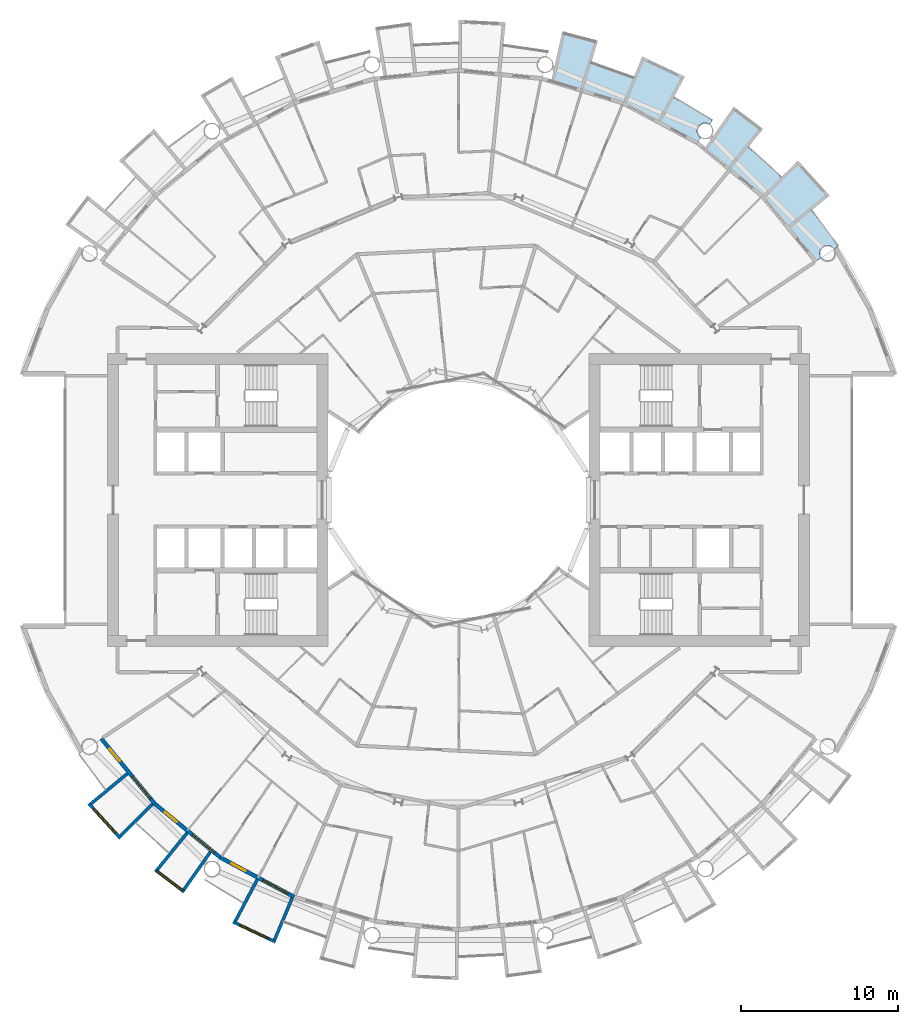
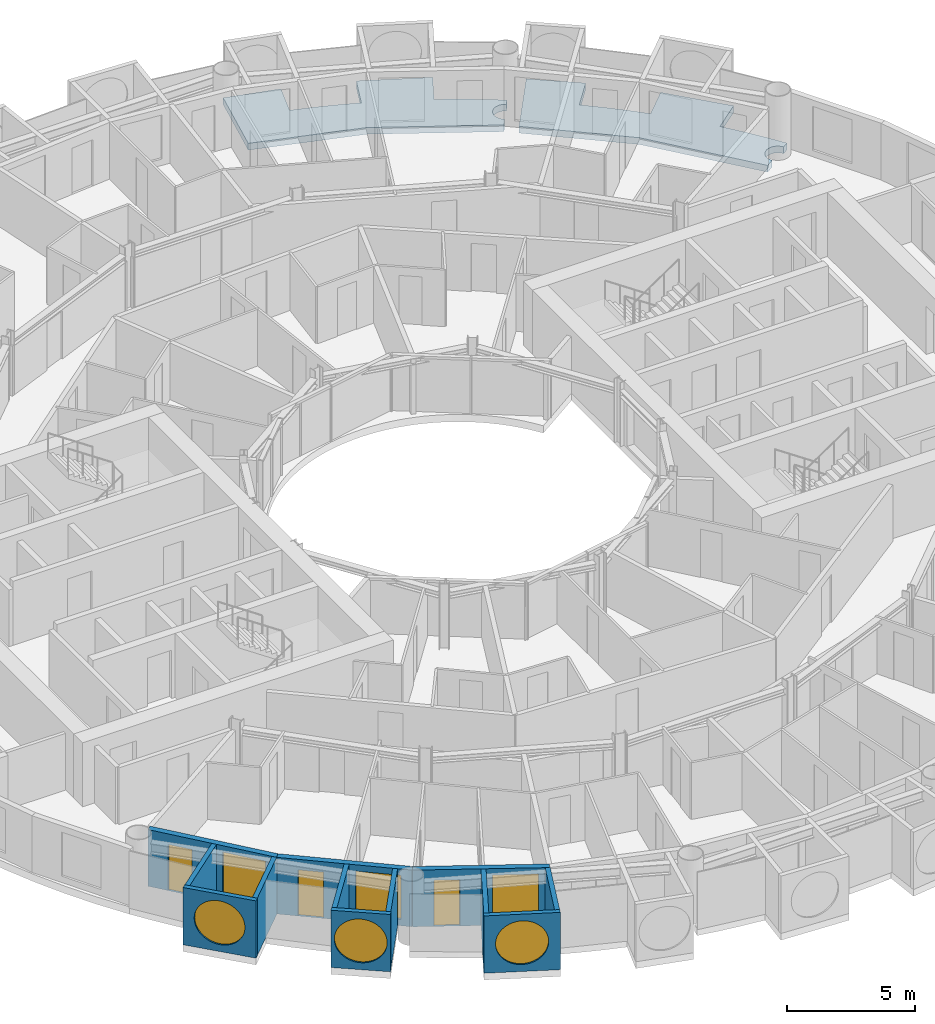
# One storey, part 12 of 26: 12 walls, 6 windows, 3 doors, 2 slabs, 9 openings.
"""IFC4 building model written with IfcOpenShell, lengths in metres."""

import ifcopenshell
import ifcopenshell.guid

model = None  # the IFC model being written
_history = None  # IfcOwnerHistory: only IFC2X3 demands one
_inside = {}  # id of a spatial element -> (the spatial element, [elements in it])
_under = {}  # id of a project, library or spatial element -> (it, [spatial elements below it])
_declared = {}  # id of a project -> (the project, [libraries it declares])
_typed = {}  # id of a type object -> (the type object, [elements of that type])
_made_of = {}  # id of a material, layer set ... -> (it, [elements and type objects made of it])


def new_model(schema):
    """Start an empty IFC model of exactly this schema.

    Asked for "IFC4X3", IfcOpenShell would pick the latest addendum, in which some entities
    have other attributes; the version numbers below select the first issue.
    IFC2X3 requires an IfcOwnerHistory on every rooted entity: one is made here for all.
    """
    global model, _history
    if schema == "IFC4X3":
        model = ifcopenshell.file(schema_version=(4, 3, 0, 0))
    else:
        model = ifcopenshell.file(schema=schema)
    _inside.clear()
    _under.clear()
    _declared.clear()
    _typed.clear()
    _made_of.clear()
    _history = None
    if model.schema == "IFC2X3":
        org = make("IfcOrganization", Name="unknown")
        user = make(
            "IfcPersonAndOrganization",
            ThePerson=make("IfcPerson", FamilyName="unknown"),
            TheOrganization=org,
        )
        app = make(
            "IfcApplication",
            ApplicationDeveloper=org,
            Version="unknown",
            ApplicationFullName="unknown",
            ApplicationIdentifier="unknown",
        )
        _history = make(
            "IfcOwnerHistory",
            OwningUser=user,
            OwningApplication=app,
            ChangeAction="ADDED",
            CreationDate=0,
        )
    return model


def make(cls, **values):
    """One entity of the class cls with the attributes given. An attribute that is None is left unset."""
    return model.create_entity(
        cls, **{name: value for name, value in values.items() if value is not None}
    )


def rooted(cls, **values):
    """An entity with a GlobalId (a new one), such as an element, a storey or a relation."""
    return make(cls, GlobalId=ifcopenshell.guid.new(), OwnerHistory=_history, **values)


def si_unit(unit_type, name, prefix=None):
    """IfcSIUnit, for example si_unit("LENGTHUNIT", "METRE", prefix="MILLI")."""
    return make("IfcSIUnit", UnitType=unit_type, Prefix=prefix, Name=name)


def assignment(units):
    """IfcUnitAssignment: the units of a project."""
    return None if units is None else make("IfcUnitAssignment", Units=units)


def point(xyz):
    """IfcCartesianPoint."""
    return None if xyz is None else make("IfcCartesianPoint", Coordinates=xyz)


def direction(xyz):
    """IfcDirection."""
    return None if xyz is None else make("IfcDirection", DirectionRatios=xyz)


def frame(location, z_axis=None, x_axis=None):
    """IfcAxis2Placement3D, a coordinate frame: its origin and axes. An axis left out is left unset."""
    return make(
        "IfcAxis2Placement3D",
        Location=point(location),
        Axis=direction(z_axis),
        RefDirection=direction(x_axis),
    )


def frame_2d(location, x_axis=None):
    """IfcAxis2Placement2D, a coordinate frame in the plane: its origin and x axis."""
    return make(
        "IfcAxis2Placement2D", Location=point(location), RefDirection=direction(x_axis)
    )


def origin():
    """The frame at (0, 0, 0) with its axes left unset."""
    return frame((0.0, 0.0, 0.0))


def place(relative_to, where):
    """IfcLocalPlacement: puts the frame where relative to a parent placement (None: the world)."""
    return make(
        "IfcLocalPlacement", PlacementRelTo=relative_to, RelativePlacement=where
    )


def context(
    kind, dimensions, precision=None, world=None, true_north=None, identifier=None
):
    """IfcGeometricRepresentationContext, for example the 3D "Model" context."""
    return make(
        "IfcGeometricRepresentationContext",
        ContextIdentifier=identifier,
        ContextType=kind,
        CoordinateSpaceDimension=dimensions,
        Precision=precision,
        WorldCoordinateSystem=world,
        TrueNorth=true_north,
    )


def subcontext(parent, identifier, kind, view, scale=None):
    """IfcGeometricRepresentationSubContext, for example "Body" below "Model"."""
    return make(
        "IfcGeometricRepresentationSubContext",
        ContextIdentifier=identifier,
        ContextType=kind,
        ParentContext=parent,
        TargetScale=scale,
        TargetView=view,
    )


def project(units=None, contexts=None):
    """IfcProject with its units and contexts."""
    return rooted(
        "IfcProject",
        Name="project",
        RepresentationContexts=contexts,
        UnitsInContext=assignment(units),
    )


def spatial(cls, under=None, at=None, **own):
    """A site, building, storey or space (cls), placed at a placement, below another one or the project."""
    s = rooted(cls, ObjectPlacement=at, **own)
    if under is not None:
        _under.setdefault(under.id(), (under, []))[1].append(s)
    return s


def polyline(points):
    """IfcPolyline through the points."""
    return make("IfcPolyline", Points=[point(p) for p in points])


def profile(cls, at=None, kind="AREA", **sizes):
    """A parametric profile (cls). Its sizes go by their IFC names, for example OverallWidth=200.0."""
    return make(cls, ProfileType=kind, Position=at, **sizes)


def rectangle(**sizes):
    """IfcRectangleProfileDef."""
    return profile("IfcRectangleProfileDef", **sizes)


def circle(**sizes):
    """IfcCircleProfileDef."""
    return profile("IfcCircleProfileDef", **sizes)


def outline(outer, holes=None, kind="AREA"):
    """IfcArbitraryClosedProfileDef: a profile drawn as a closed curve; with holes, ...WithVoids."""
    if holes is None:
        return make("IfcArbitraryClosedProfileDef", ProfileType=kind, OuterCurve=outer)
    return make(
        "IfcArbitraryProfileDefWithVoids",
        ProfileType=kind,
        OuterCurve=outer,
        InnerCurves=holes,
    )


def extrude(swept, where, along, depth):
    """IfcExtrudedAreaSolid: the profile swept, set in the frame where, extruded along a direction by depth."""
    return make(
        "IfcExtrudedAreaSolid",
        SweptArea=swept,
        Position=where,
        ExtrudedDirection=direction(along),
        Depth=depth,
    )


def shape(context_of_items, identifier, shape_type, items):
    """IfcShapeRepresentation: the items that make up one representation, for example the "Body"."""
    return make(
        "IfcShapeRepresentation",
        ContextOfItems=context_of_items,
        RepresentationIdentifier=identifier,
        RepresentationType=shape_type,
        Items=items,
    )


def material(Name=None, Category=None):
    """IfcMaterial."""
    return make("IfcMaterial", Name=Name, Category=Category)


def layer(
    of_material, thickness, ventilated=None, Name=None, Category=None, Priority=None
):
    """IfcMaterialLayer: one layer of a wall or slab, of a material (None: an air gap)."""
    return make(
        "IfcMaterialLayer",
        Material=of_material,
        LayerThickness=thickness,
        IsVentilated=ventilated,
        Name=Name,
        Category=Category,
        Priority=Priority,
    )


def layer_set(layers, Name=None):
    """IfcMaterialLayerSet."""
    return make("IfcMaterialLayerSet", MaterialLayers=layers, LayerSetName=Name)


def made_of(thing, what):
    """Note that an element or type object is made of a material, layer set ...; save() writes the relation."""
    if what is not None:
        _made_of.setdefault(what.id(), (what, []))[1].append(thing)
    return thing


def type_object(cls, material=None, **own):
    """A type object (cls), such as IfcWallType, which elements share."""
    return made_of(rooted(cls, **own), material)


def element(
    cls,
    number,
    at=None,
    inside=None,
    cuts=None,
    type_object=None,
    material=None,
    context=None,
    identifier="Body",
    shape_type=None,
    held_by="IfcProductDefinitionShape",
    body=None,
    shapes=None,
    **own,
):
    """One element of the class cls, such as IfcWall. Its Tag is "e" and its number.

    at: its placement. inside: the storey or other place that contains it. cuts: it is an
    opening in that element (IfcRelVoidsElement). A single representation is given by context,
    identifier, shape_type and body (its items); several are given by shapes. held_by: the class
    of the entity that holds the representations. save() writes the other relations.
    """
    e = rooted(cls, Tag="e%d" % number, ObjectPlacement=at, **own)
    if body is not None:
        shapes = [shape(context, identifier, shape_type, body)]
    if shapes is not None:
        e.Representation = make(held_by, Representations=shapes)
    if inside is not None:
        _inside.setdefault(inside.id(), (inside, []))[1].append(e)
    if cuts is not None:
        rooted(
            "IfcRelVoidsElement", RelatingBuildingElement=cuts, RelatedOpeningElement=e
        )
    if type_object is not None:
        _typed.setdefault(type_object.id(), (type_object, []))[1].append(e)
    return made_of(e, material)


def fill(opening, filler):
    """IfcRelFillsElement: the door or window that sits in an opening."""
    return rooted(
        "IfcRelFillsElement",
        RelatingOpeningElement=opening,
        RelatedBuildingElement=filler,
    )


def aggregate(whole, parts):
    """IfcRelAggregates: a whole, such as a stair, and the parts it consists of."""
    return rooted("IfcRelAggregates", RelatingObject=whole, RelatedObjects=parts)


def save(model, path):
    """Write the relations noted so far, then the file.

    IfcRelAggregates (storeys below a building ...), IfcRelContainedInSpatialStructure (elements
    in a storey), IfcRelDefinesByType, IfcRelAssociatesMaterial and IfcRelDeclares: one each for
    every whole, place, type object, material and project.
    """
    for whole, parts in _under.values():
        aggregate(whole, parts)
    for where, things in _inside.values():
        rooted(
            "IfcRelContainedInSpatialStructure",
            RelatedElements=things,
            RelatingStructure=where,
        )
    for kind, things in _typed.values():
        rooted("IfcRelDefinesByType", RelatedObjects=things, RelatingType=kind)
    for what, things in _made_of.values():
        rooted("IfcRelAssociatesMaterial", RelatedObjects=things, RelatingMaterial=what)
    for by, libraries in _declared.values():
        rooted("IfcRelDeclares", RelatingContext=by, RelatedDefinitions=libraries)
    model.write(path)


model = new_model("IFC4")

# Units and contexts
model_context = context("Model", 3, precision=1e-05, world=origin(), true_north=direction((0.0, 1.0)))
body_context = subcontext(model_context, "Body", "Model", "MODEL_VIEW")
ifc_project = project(units=[si_unit("LENGTHUNIT", "METRE"), si_unit("AREAUNIT", "SQUARE_METRE"), si_unit("VOLUMEUNIT", "CUBIC_METRE"), si_unit("PLANEANGLEUNIT", "RADIAN"), si_unit("MASSUNIT", "GRAM", prefix="KILO")], contexts=[model_context])

# Site, building, storey
site_placement = place(None, origin())
site = spatial("IfcSite", under=ifc_project, at=site_placement, CompositionType="ELEMENT")
building_placement = place(site_placement, origin())
building = spatial("IfcBuilding", under=site, at=building_placement, Name="Maasbend Ring Residences", CompositionType="ELEMENT")
storey_placement = place(building_placement, frame((0.0, 0.0, 69.699951171875)))
storey = spatial("IfcBuildingStorey", under=building, at=storey_placement, Name="L19", CompositionType="ELEMENT", Elevation=69.699951171875)

# Slabs
ifc_material_1 = material(Name="Concrete C40/50", Category="concrete")
ifc_layer_1 = layer(ifc_material_1, 0.199951171875)
ifc_layer_set_1 = layer_set([ifc_layer_1], Name="Concrete C40/50")
slab_type = type_object("IfcSlabType", Name="SL-LOGGIA", PredefinedType="FLOOR", material=ifc_layer_set_1)
slab_1_placement = place(storey_placement, frame((0.0, 0.0, -0.349853515625)))
element("IfcSlab", 1, at=slab_1_placement, inside=storey, type_object=slab_type, Name="Loggia floor 1", PredefinedType="FLOOR", context=body_context, shape_type="SweptSolid", body=[
    extrude(outline(polyline([(8.85400390625, 29.18701171875), (8.85400390625, 29.18701171875), (8.85400390625, 29.18701171875), (8.41796875, 27.751953125), (8.41796875, 27.751953125), (8.41796875, 27.751953125), (8.41796875, 27.751953125), (8.41796875, 27.751953125), (8.41796875, 27.751953125), (8.41796875, 27.7509765625), (8.41796875, 27.7509765625), (8.41796875, 27.7509765625), (8.41796875, 27.7509765625), (8.41796875, 27.7509765625), (8.4189453125, 27.7509765625), (8.4189453125, 27.7509765625), (8.4189453125, 27.7509765625), (8.4189453125, 27.7509765625), (8.4189453125, 27.7509765625), (8.4189453125, 27.7509765625), (9.322021484375, 27.4609375), (9.322021484375, 27.4609375), (10.215087890625, 27.14111328125), (10.215087890625, 27.14111328125), (11.096923828125, 26.79296875), (11.096923828125, 26.79296875), (11.096923828125, 26.79296875), (11.097900390625, 26.79296875), (11.097900390625, 26.79296875), (11.097900390625, 26.79296875), (11.097900390625, 26.79296875), (11.097900390625, 26.79296875), (11.097900390625, 26.79296875), (11.097900390625, 26.79296875), (11.097900390625, 26.79296875), (11.097900390625, 26.79296875), (11.097900390625, 26.79296875), (11.097900390625, 26.79296875), (11.097900390625, 26.79296875), (11.097900390625, 26.79296875), (11.097900390625, 26.79296875), (11.672119140625, 28.177978515625), (11.672119140625, 28.177978515625), (11.672119140625, 28.177978515625), (14.3779296875, 26.89892578125), (14.3779296875, 26.89892578125), (14.3779296875, 26.89892578125), (13.6708984375, 25.575927734375), (13.6708984375, 25.575927734375), (13.6708984375, 25.575927734375), (13.6708984375, 25.575927734375), (13.6708984375, 25.575927734375), (13.6708984375, 25.575927734375), (13.6708984375, 25.575927734375), (13.6708984375, 25.575927734375), (13.6708984375, 25.575927734375), (13.6708984375, 25.575927734375), (13.6708984375, 25.575927734375), (13.6708984375, 25.575927734375), (13.6708984375, 25.575927734375), (13.6708984375, 25.575927734375), (13.6708984375, 25.575927734375), (13.6708984375, 25.575927734375), (13.6708984375, 25.574951171875), (14.5, 25.114990234375), (14.5, 25.114990234375), (15.31396484375, 24.626953125), (15.31396484375, 24.626953125), (16.112060546875, 24.113037109375), (16.112060546875, 24.113037109375), (16.112060546875, 24.113037109375), (15.948974609375, 23.8701171875), (15.93896484375, 23.876953125), (15.927978515625, 23.883056640625), (15.9169921875, 23.888916015625), (15.906982421875, 23.89501953125), (15.89599609375, 23.90087890625), (15.884033203125, 23.906982421875), (15.873046875, 23.912109375), (15.862060546875, 23.9169921875), (15.85009765625, 23.9208984375), (15.837890625, 23.926025390625), (15.825927734375, 23.929931640625), (15.81494140625, 23.93408203125), (15.802978515625, 23.93701171875), (15.791015625, 23.93994140625), (15.778076171875, 23.943115234375), (15.76611328125, 23.946044921875), (15.75390625, 23.947998046875), (15.741943359375, 23.949951171875), (15.72900390625, 23.951904296875), (15.717041015625, 23.952880859375), (15.7041015625, 23.9541015625), (15.69189453125, 23.955078125), (15.679931640625, 23.955078125), (15.6669921875, 23.955078125), (15.655029296875, 23.955078125), (15.64208984375, 23.955078125), (15.6298828125, 23.9541015625), (15.616943359375, 23.952880859375), (15.60498046875, 23.951904296875), (15.593017578125, 23.949951171875), (15.580078125, 23.947998046875), (15.568115234375, 23.946044921875), (15.555908203125, 23.943115234375), (15.5439453125, 23.93994140625), (15.531982421875, 23.93701171875), (15.52001953125, 23.93408203125), (15.508056640625, 23.929931640625), (15.49609375, 23.926025390625), (15.48388671875, 23.9208984375), (15.472900390625, 23.9169921875), (15.4609375, 23.912109375), (15.449951171875, 23.906982421875), (15.43896484375, 23.90087890625), (15.427978515625, 23.89501953125), (15.4169921875, 23.888916015625), (15.406005859375, 23.883056640625), (15.39501953125, 23.876953125), (15.385009765625, 23.8701171875), (15.375, 23.863037109375), (15.364013671875, 23.85498046875), (15.35498046875, 23.847900390625), (15.344970703125, 23.840087890625), (15.3349609375, 23.83203125), (15.325927734375, 23.823974609375), (15.31689453125, 23.81494140625), (15.30810546875, 23.806884765625), (15.299072265625, 23.798095703125), (15.291015625, 23.7890625), (15.281982421875, 23.779052734375), (15.27392578125, 23.77001953125), (15.26708984375, 23.760009765625), (15.259033203125, 23.75), (15.251953125, 23.739990234375), (15.2451171875, 23.72998046875), (15.238037109375, 23.718994140625), (15.23095703125, 23.708984375), (15.22509765625, 23.697998046875), (15.218994140625, 23.68701171875), (15.212890625, 23.676025390625), (15.2080078125, 23.6650390625), (15.202880859375, 23.653076171875), (15.197998046875, 23.64208984375), (15.193115234375, 23.6298828125), (15.18896484375, 23.618896484375), (15.18505859375, 23.60693359375), (15.180908203125, 23.594970703125), (15.177978515625, 23.5830078125), (15.174072265625, 23.571044921875), (15.1708984375, 23.55908203125), (15.1689453125, 23.547119140625), (15.1669921875, 23.533935546875), (15.1650390625, 23.52197265625), (15.1630859375, 23.510009765625), (15.162109375, 23.4970703125), (15.159912109375, 23.485107421875), (15.159912109375, 23.471923828125), (15.158935546875, 23.4599609375), (15.158935546875, 23.447021484375), (15.158935546875, 23.43505859375), (15.159912109375, 23.422119140625), (15.159912109375, 23.409912109375), (15.162109375, 23.39794921875), (15.1630859375, 23.385009765625), (15.1650390625, 23.373046875), (15.1669921875, 23.361083984375), (15.1689453125, 23.347900390625), (15.1708984375, 23.3359375), (15.174072265625, 23.323974609375), (15.177978515625, 23.31201171875), (15.180908203125, 23.300048828125), (15.18505859375, 23.2880859375), (15.18896484375, 23.27587890625), (15.193115234375, 23.264892578125), (15.197998046875, 23.2529296875), (15.202880859375, 23.241943359375), (15.2080078125, 23.22998046875), (15.212890625, 23.218994140625), (15.218994140625, 23.2080078125), (15.22509765625, 23.197021484375), (15.23095703125, 23.18603515625), (15.238037109375, 23.176025390625), (15.2451171875, 23.1650390625), (15.251953125, 23.155029296875), (15.259033203125, 23.14501953125), (15.26708984375, 23.135009765625), (15.27392578125, 23.125), (15.281982421875, 23.115966796875), (15.291015625, 23.10595703125), (15.299072265625, 23.096923828125), (15.30810546875, 23.087890625), (15.31689453125, 23.0791015625), (15.325927734375, 23.071044921875), (15.3349609375, 23.06298828125), (15.344970703125, 23.054931640625), (15.35498046875, 23.047119140625), (15.364013671875, 23.0390625), (15.375, 23.031982421875), (15.385009765625, 23.02490234375), (15.1669921875, 22.698974609375), (15.1669921875, 22.698974609375), (15.1669921875, 22.698974609375), (12.806884765625, 23.9609375), (10.447021484375, 25.221923828125), (10.447021484375, 25.221923828125), (10.447021484375, 25.221923828125), (7.886962890625, 25.9990234375), (5.89111328125, 26.60400390625), (5.89111328125, 26.60400390625), (5.89111328125, 26.60400390625), (6.593994140625, 29.779052734375), (6.593994140625, 29.779052734375), (6.593994140625, 29.779052734375), (8.85400390625, 29.18701171875)])), origin(), (0.0, 0.0, 1.0), 0.31982421875),
])
slab_2_placement = place(storey_placement, frame((0.0, 0.0, -0.349853515625)))
element("IfcSlab", 2, at=slab_2_placement, inside=storey, type_object=slab_type, Name="Loggia floor 4", PredefinedType="FLOOR", context=body_context, shape_type="SweptSolid", body=[
    extrude(outline(polyline([(19.34912109375, 23.576904296875), (19.34912109375, 23.576904296875), (19.34912109375, 23.576904296875), (18.39794921875, 22.41796875), (18.39794921875, 22.41796875), (18.39794921875, 22.41796875), (18.39794921875, 22.41796875), (18.39794921875, 22.41796875), (18.39794921875, 22.4169921875), (18.39794921875, 22.4169921875), (18.39794921875, 22.4169921875), (18.39794921875, 22.4169921875), (18.39794921875, 22.4169921875), (18.39794921875, 22.4169921875), (18.39794921875, 22.4169921875), (18.39794921875, 22.4169921875), (18.39794921875, 22.4169921875), (18.39794921875, 22.4169921875), (18.39794921875, 22.4169921875), (18.39794921875, 22.4169921875), (19.12109375, 21.802978515625), (19.12109375, 21.802978515625), (19.823974609375, 21.166015625), (19.823974609375, 21.166015625), (20.506103515625, 20.506103515625), (20.506103515625, 20.506103515625), (20.506103515625, 20.506103515625), (20.506103515625, 20.506103515625), (20.506103515625, 20.506103515625), (20.506103515625, 20.506103515625), (20.506103515625, 20.506103515625), (20.506103515625, 20.506103515625), (20.506103515625, 20.506103515625), (20.506103515625, 20.506103515625), (20.506103515625, 20.506103515625), (20.506103515625, 20.506103515625), (20.506103515625, 20.506103515625), (20.506103515625, 20.506103515625), (20.506103515625, 20.506103515625), (20.506103515625, 20.506103515625), (20.506103515625, 20.506103515625), (21.56689453125, 21.56689453125), (21.56689453125, 21.56689453125), (21.56689453125, 21.56689453125), (23.576904296875, 19.34912109375), (23.576904296875, 19.34912109375), (23.576904296875, 19.34912109375), (22.41796875, 18.39794921875), (22.41796875, 18.39794921875), (22.41796875, 18.39794921875), (22.41796875, 18.39794921875), (22.41796875, 18.39794921875), (22.41796875, 18.39794921875), (22.41796875, 18.39697265625), (22.41796875, 18.39697265625), (22.41796875, 18.39697265625), (22.41796875, 18.39697265625), (22.41796875, 18.39697265625), (22.41796875, 18.39697265625), (22.41796875, 18.39697265625), (22.41796875, 18.39697265625), (22.41796875, 18.39697265625), (22.41796875, 18.39697265625), (22.41796875, 18.39697265625), (23.007080078125, 17.654052734375), (23.007080078125, 17.654052734375), (23.572998046875, 16.89208984375), (23.572998046875, 16.89208984375), (24.113037109375, 16.112060546875), (24.113037109375, 16.112060546875), (24.113037109375, 16.112060546875), (23.8701171875, 15.948974609375), (23.8701171875, 15.948974609375), (23.863037109375, 15.9599609375), (23.85498046875, 15.969970703125), (23.847900390625, 15.97998046875), (23.840087890625, 15.989013671875), (23.83203125, 15.9990234375), (23.823974609375, 16.008056640625), (23.81494140625, 16.01708984375), (23.806884765625, 16.02587890625), (23.798095703125, 16.034912109375), (23.7890625, 16.0439453125), (23.779052734375, 16.052001953125), (23.77001953125, 16.06005859375), (23.760009765625, 16.068115234375), (23.75, 16.074951171875), (23.739990234375, 16.08203125), (23.72998046875, 16.089111328125), (23.718994140625, 16.095947265625), (23.708984375, 16.10302734375), (23.697998046875, 16.10888671875), (23.68701171875, 16.114990234375), (23.676025390625, 16.12109375), (23.6650390625, 16.1259765625), (23.653076171875, 16.132080078125), (23.64208984375, 16.135986328125), (23.6298828125, 16.14111328125), (23.618896484375, 16.14501953125), (23.60693359375, 16.14892578125), (23.594970703125, 16.153076171875), (23.5830078125, 16.156982421875), (23.571044921875, 16.159912109375), (23.55908203125, 16.1630859375), (23.547119140625, 16.1650390625), (23.533935546875, 16.16796875), (23.52197265625, 16.169921875), (23.510009765625, 16.1708984375), (23.4970703125, 16.173095703125), (23.485107421875, 16.174072265625), (23.471923828125, 16.174072265625), (23.4599609375, 16.175048828125), (23.447021484375, 16.175048828125), (23.43505859375, 16.175048828125), (23.422119140625, 16.174072265625), (23.409912109375, 16.174072265625), (23.39794921875, 16.173095703125), (23.385009765625, 16.1708984375), (23.373046875, 16.169921875), (23.361083984375, 16.16796875), (23.347900390625, 16.1650390625), (23.3359375, 16.1630859375), (23.323974609375, 16.159912109375), (23.31201171875, 16.156982421875), (23.300048828125, 16.153076171875), (23.2880859375, 16.14892578125), (23.27587890625, 16.14501953125), (23.264892578125, 16.14111328125), (23.2529296875, 16.135986328125), (23.241943359375, 16.132080078125), (23.22998046875, 16.1259765625), (23.218994140625, 16.12109375), (23.2080078125, 16.114990234375), (23.197021484375, 16.10888671875), (23.18603515625, 16.10302734375), (23.176025390625, 16.095947265625), (23.1650390625, 16.089111328125), (23.155029296875, 16.08203125), (23.14501953125, 16.074951171875), (23.135009765625, 16.068115234375), (23.125, 16.06005859375), (23.115966796875, 16.052001953125), (23.10595703125, 16.0439453125), (23.096923828125, 16.034912109375), (23.087890625, 16.02587890625), (23.0791015625, 16.01708984375), (23.071044921875, 16.008056640625), (23.06298828125, 15.9990234375), (23.054931640625, 15.989013671875), (23.047119140625, 15.97998046875), (23.0390625, 15.969970703125), (23.031982421875, 15.9599609375), (23.02490234375, 15.948974609375), (23.01806640625, 15.93896484375), (23.011962890625, 15.927978515625), (23.0048828125, 15.9169921875), (22.9990234375, 15.906982421875), (22.993896484375, 15.89599609375), (22.988037109375, 15.884033203125), (22.98291015625, 15.873046875), (22.97802734375, 15.862060546875), (22.972900390625, 15.85009765625), (22.968994140625, 15.837890625), (22.965087890625, 15.825927734375), (22.9609375, 15.81494140625), (22.9580078125, 15.802978515625), (22.955078125, 15.791015625), (22.951904296875, 15.778076171875), (22.948974609375, 15.76611328125), (22.947021484375, 15.75390625), (22.945068359375, 15.741943359375), (22.943115234375, 15.72900390625), (22.94189453125, 15.717041015625), (22.94091796875, 15.7041015625), (22.93994140625, 15.69189453125), (22.93994140625, 15.679931640625), (22.93896484375, 15.6669921875), (22.93994140625, 15.655029296875), (22.93994140625, 15.64208984375), (22.94091796875, 15.6298828125), (22.94189453125, 15.616943359375), (22.943115234375, 15.60498046875), (22.945068359375, 15.593017578125), (22.947021484375, 15.580078125), (22.948974609375, 15.568115234375), (22.951904296875, 15.555908203125), (22.955078125, 15.5439453125), (22.9580078125, 15.531982421875), (22.9609375, 15.52001953125), (22.965087890625, 15.508056640625), (22.968994140625, 15.49609375), (22.972900390625, 15.48388671875), (22.97802734375, 15.472900390625), (22.98291015625, 15.4609375), (22.988037109375, 15.449951171875), (22.993896484375, 15.43896484375), (22.9990234375, 15.427978515625), (23.0048828125, 15.4169921875), (23.011962890625, 15.406005859375), (23.01806640625, 15.39501953125), (23.02490234375, 15.385009765625), (23.02490234375, 15.385009765625), (22.698974609375, 15.1669921875), (22.698974609375, 15.1669921875), (22.698974609375, 15.1669921875), (21.001953125, 17.236083984375), (19.303955078125, 19.303955078125), (19.303955078125, 19.303955078125), (19.303955078125, 19.303955078125), (17.236083984375, 21.001953125), (15.623046875, 22.324951171875), (15.623046875, 22.324951171875), (15.623046875, 22.324951171875), (17.488037109375, 24.989013671875), (17.488037109375, 24.989013671875), (17.488037109375, 24.989013671875), (19.34912109375, 23.576904296875)])), origin(), (0.0, 0.0, 1.0), 0.31982421875),
])

# Wall, opening, window
ifc_material_2 = material(Name="Pale anodised aluminium panel", Category="aluminium")
ifc_layer_2 = layer(ifc_material_2, 0.199951171875)
ifc_layer_set_2 = layer_set([ifc_layer_2], Name="EW-BOX")
wall_type_1 = type_object("IfcWallType", Name="EW-BOX", PredefinedType="SOLIDWALL", material=ifc_layer_set_2)
wall_1_placement = place(storey_placement, frame((-23.5029296875, -19.281982421875, -0.030029296875), z_axis=(0.0, 0.0, 1.0), x_axis=(0.671506829416, -0.740998365753, 0.0)))
wall_1 = element("IfcWall", 3, at=wall_1_placement, inside=storey, type_object=wall_type_1, Name="Box front S02", PredefinedType="SOLIDWALL", context=body_context, shape_type="SweptSolid", body=[
    extrude(rectangle(XDim=2.9931640625, YDim=0.199951171875, at=frame_2d((1.49658203125, 0.0))), origin(), (0.0, 0.0, 1.0), 2.72998046875),
])
opening_1_placement = place(wall_1_placement, frame((0.45654296875, 0.0, 0.330078125)))
opening_1 = element("IfcOpeningElement", 4, at=opening_1_placement, cuts=wall_1, Name="Opening W-RD", PredefinedType="OPENING", context=body_context, shape_type="SweptSolid", body=[
    extrude(circle(Radius=1.0400390625, at=frame_2d((1.0400390625, 1.0400390625))), frame((0.0, 0.10986328125, 0.0), z_axis=(0.0, -1.0, 0.0), x_axis=(1.0, 0.0, 0.0)), (0.0, 0.0, 1.0), 0.219970703125),
])
ifc_material_3 = material(Name="Aluminium and clear glass", Category="aluminium")
window_type_1 = type_object("IfcWindowType", Name="W-RD", PartitioningType="SINGLE_PANEL", PredefinedType="WINDOW", material=ifc_material_3)
window_1_placement = place(opening_1_placement, origin())
window_1 = element("IfcWindow", 5, at=window_1_placement, inside=storey, type_object=window_type_1, Name="Round window S02", OverallHeight=2.080078125, OverallWidth=2.080078125, PartitioningType="SINGLE_PANEL", PredefinedType="WINDOW", context=body_context, shape_type="SweptSolid", body=[
    extrude(circle(Radius=1.0400390625, at=frame_2d((1.0400390625, 1.0400390625))), frame((0.0, 0.030029296875, 0.0), z_axis=(0.0, -1.0, 0.0), x_axis=(1.0, 0.0, 0.0)), (0.0, 0.0, 1.0), 0.06005859375),
])
fill(opening_1, window_1)

# Walls
wall_2_placement = place(storey_placement, frame((-21.041015625, -17.384033203125, -0.030029296875), z_axis=(0.0, 0.0, 1.0), x_axis=(-0.770784861449, -0.63709551667, 0.0)))
element("IfcWall", 6, at=wall_2_placement, inside=storey, type_object=wall_type_1, Name="Box side wall S02 left", PredefinedType="SOLIDWALL", context=body_context, shape_type="SweptSolid", body=[
    extrude(rectangle(XDim=3.005859375, YDim=0.199951171875, at=frame_2d((1.5029296875, 0.0))), origin(), (0.0, 0.0, 1.0), 2.72998046875),
])
wall_3_placement = place(storey_placement, frame((-19.449951171875, -19.322998046875, -0.030029296875), z_axis=(0.0, 0.0, 1.0), x_axis=(-0.709727076896, -0.704476739375, 0.0)))
element("IfcWall", 7, at=wall_3_placement, inside=storey, type_object=wall_type_1, Name="Box side wall S02 right", PredefinedType="SOLIDWALL", context=body_context, shape_type="SweptSolid", body=[
    extrude(rectangle(XDim=2.883056640625, YDim=0.199951171875, at=frame_2d((1.44140625, 0.0))), origin(), (0.0, 0.0, 1.0), 2.72998046875),
])

# Wall, opening, window
wall_4_placement = place(storey_placement, frame((-19.2890625, -23.4970703125, -0.030029296875), z_axis=(0.0, 0.0, 1.0), x_axis=(0.796842165306, -0.60418752353, 0.0)))
wall_4 = element("IfcWall", 8, at=wall_4_placement, inside=storey, type_object=wall_type_1, Name="Box front S04", PredefinedType="SOLIDWALL", context=body_context, shape_type="SweptSolid", body=[
    extrude(rectangle(XDim=2.3369140625, YDim=0.199951171875, at=frame_2d((1.16845703125, 0.0))), origin(), (0.0, 0.0, 1.0), 2.72998046875),
])
opening_2_placement = place(wall_4_placement, frame((0.128173828125, 0.0, 0.330078125)))
opening_2 = element("IfcOpeningElement", 9, at=opening_2_placement, cuts=wall_4, Name="Opening W-RD", PredefinedType="OPENING", context=body_context, shape_type="SweptSolid", body=[
    extrude(circle(Radius=1.0400390625, at=frame_2d((1.0400390625, 1.0400390625))), frame((0.0, 0.10986328125, 0.0), z_axis=(0.0, -1.0, 0.0), x_axis=(1.0, 0.0, 0.0)), (0.0, 0.0, 1.0), 0.219970703125),
])
window_2_placement = place(opening_2_placement, origin())
window_2 = element("IfcWindow", 10, at=window_2_placement, inside=storey, type_object=window_type_1, Name="Round window S04", OverallHeight=2.080078125, OverallWidth=2.080078125, PartitioningType="SINGLE_PANEL", PredefinedType="WINDOW", context=body_context, shape_type="SweptSolid", body=[
    extrude(circle(Radius=1.0400390625, at=frame_2d((1.0400390625, 1.0400390625))), frame((0.0, 0.030029296875, 0.0), z_axis=(0.0, -1.0, 0.0), x_axis=(1.0, 0.0, 0.0)), (0.0, 0.0, 1.0), 0.06005859375),
])
fill(opening_2, window_2)

# Walls
wall_5_placement = place(storey_placement, frame((-17.24609375, -21.155029296875, -0.030029296875), z_axis=(0.0, 0.0, 1.0), x_axis=(-0.631741648902, -0.775179004516, 0.0)))
element("IfcWall", 11, at=wall_5_placement, inside=storey, type_object=wall_type_1, Name="Box side wall S04 left", PredefinedType="SOLIDWALL", context=body_context, shape_type="SweptSolid", body=[
    extrude(rectangle(XDim=3.005859375, YDim=0.199951171875, at=frame_2d((1.5029296875, 0.0))), origin(), (0.0, 0.0, 1.0), 2.72998046875),
])
wall_6_placement = place(storey_placement, frame((-15.764892578125, -22.3701171875, -0.030029296875), z_axis=(0.0, 0.0, 1.0), x_axis=(-0.576274612209, -0.817256123454, 0.0)))
element("IfcWall", 12, at=wall_6_placement, inside=storey, type_object=wall_type_1, Name="Box side wall S04 right", PredefinedType="SOLIDWALL", context=body_context, shape_type="SweptSolid", body=[
    extrude(rectangle(XDim=2.932861328125, YDim=0.199951171875, at=frame_2d((1.46630859375, 0.0))), origin(), (0.0, 0.0, 1.0), 2.72998046875),
])

# Wall, opening, window
wall_7_placement = place(storey_placement, frame((-14.3349609375, -26.80810546875, -0.030029296875), z_axis=(0.0, 0.0, 1.0), x_axis=(0.904000060331, -0.427532327342, 0.0)))
wall_7 = element("IfcWall", 13, at=wall_7_placement, inside=storey, type_object=wall_type_1, Name="Box front S06", PredefinedType="SOLIDWALL", context=body_context, shape_type="SweptSolid", body=[
    extrude(rectangle(XDim=2.993408203125, YDim=0.199951171875, at=frame_2d((1.49658203125, 0.0))), origin(), (0.0, 0.0, 1.0), 2.72998046875),
])
opening_3_placement = place(wall_7_placement, frame((0.45654296875, 0.0, 0.330078125)))
opening_3 = element("IfcOpeningElement", 14, at=opening_3_placement, cuts=wall_7, Name="Opening W-RD", PredefinedType="OPENING", context=body_context, shape_type="SweptSolid", body=[
    extrude(circle(Radius=1.0400390625, at=frame_2d((1.0400390625, 1.0400390625))), frame((0.0, 0.10986328125, 0.0), z_axis=(0.0, -1.0, 0.0), x_axis=(1.0, 0.0, 0.0)), (0.0, 0.0, 1.0), 0.219970703125),
])
window_3_placement = place(opening_3_placement, origin())
window_3 = element("IfcWindow", 15, at=window_3_placement, inside=storey, type_object=window_type_1, Name="Round window S06", OverallHeight=2.080078125, OverallWidth=2.080078125, PartitioningType="SINGLE_PANEL", PredefinedType="WINDOW", context=body_context, shape_type="SweptSolid", body=[
    extrude(circle(Radius=1.0400390625, at=frame_2d((1.0400390625, 1.0400390625))), frame((0.0, 0.030029296875, 0.0), z_axis=(0.0, -1.0, 0.0), x_axis=(1.0, 0.0, 0.0)), (0.0, 0.0, 1.0), 0.06005859375),
])
fill(opening_3, window_3)

# Walls
wall_8_placement = place(storey_placement, frame((-12.787109375, -24.113037109375, -0.030029296875), z_axis=(0.0, 0.0, 1.0), x_axis=(-0.468365282436, -0.883534924159, 0.0)))
element("IfcWall", 16, at=wall_8_placement, inside=storey, type_object=wall_type_1, Name="Box side wall S06 left", PredefinedType="SOLIDWALL", context=body_context, shape_type="SweptSolid", body=[
    extrude(rectangle(XDim=3.006103515625, YDim=0.199951171875, at=frame_2d((1.5029296875, 0.0))), origin(), (0.0, 0.0, 1.0), 2.72998046875),
])
wall_9_placement = place(storey_placement, frame((-10.574951171875, -25.294921875, -0.030029296875), z_axis=(0.0, 0.0, 1.0), x_axis=(-0.385697364644, -0.922625353492, 0.0)))
element("IfcWall", 17, at=wall_9_placement, inside=storey, type_object=wall_type_1, Name="Box side wall S06 right", PredefinedType="SOLIDWALL", context=body_context, shape_type="SweptSolid", body=[
    extrude(rectangle(XDim=2.88330078125, YDim=0.199951171875, at=frame_2d((1.441650390625, 0.0))), origin(), (0.0, 0.0, 1.0), 2.72998046875),
])

# Wall, openings, door, window
ifc_material_4 = material(Name="Aluminium clad insulated panel", Category="aluminium")
ifc_layer_3 = layer(ifc_material_4, 0.25)
ifc_layer_set_3 = layer_set([ifc_layer_3], Name="EW-GL")
wall_type_2 = type_object("IfcWallType", Name="EW-GL", PredefinedType="SOLIDWALL", material=ifc_layer_set_3)
wall_10_placement = place(storey_placement, frame((-22.698974609375, -15.1669921875, 0.0), z_axis=(0.0, 0.0, 1.0), x_axis=(0.634382322723, -0.773019449054, 0.0)))
wall_10 = element("IfcWall", 18, at=wall_10_placement, inside=storey, type_object=wall_type_2, Name="External wall S01", PredefinedType="SOLIDWALL", context=body_context, shape_type="SweptSolid", body=[
    extrude(rectangle(XDim=5.351806640625, YDim=0.25, at=frame_2d((2.67578125, 0.0))), origin(), (0.0, 0.0, 1.0), 2.699951171875),
])
opening_4_placement = place(wall_10_placement, frame((0.841064453125, 0.0, 0.0)))
opening_4 = element("IfcOpeningElement", 19, at=opening_4_placement, cuts=wall_10, Name="Opening D-LG", PredefinedType="OPENING", context=body_context, shape_type="SweptSolid", body=[
    extrude(rectangle(XDim=1.0, YDim=2.199951171875, at=frame_2d((0.5, 1.10009765625))), frame((0.0, 0.135009765625, 0.0), z_axis=(0.0, -1.0, 0.0), x_axis=(1.0, 0.0, 0.0)), (0.0, 0.0, 1.0), 0.27001953125),
])
opening_5_placement = place(wall_10_placement, frame((3.110595703125, 0.0, 0.300048828125)))
opening_5 = element("IfcOpeningElement", 20, at=opening_5_placement, cuts=wall_10, Name="Opening W-BX", PredefinedType="OPENING", context=body_context, shape_type="SweptSolid", body=[
    extrude(rectangle(XDim=1.800048828125, YDim=2.10009765625, at=frame_2d((0.89990234375, 1.050048828125))), frame((0.0, 0.135009765625, 0.0), z_axis=(0.0, -1.0, 0.0), x_axis=(1.0, 0.0, 0.0)), (0.0, 0.0, 1.0), 0.27001953125),
])
ifc_material_5 = material(Name="Aluminium and clear glass", Category="aluminium")
door_type = type_object("IfcDoorType", Name="D-LG", OperationType="SINGLE_SWING_LEFT", PredefinedType="DOOR", material=ifc_material_5)
door_1_placement = place(opening_4_placement, origin())
door_1 = element("IfcDoor", 21, at=door_1_placement, inside=storey, type_object=door_type, Name="Loggia door S01", OperationType="SINGLE_SWING_LEFT", OverallHeight=2.199951171875, OverallWidth=1.0, PredefinedType="DOOR", context=body_context, shape_type="SweptSolid", body=[
    extrude(rectangle(XDim=1.0, YDim=2.199951171875, at=frame_2d((0.5, 1.10009765625))), frame((0.0, 0.02490234375, 0.0), z_axis=(0.0, -1.0, 0.0), x_axis=(1.0, 0.0, 0.0)), (0.0, 0.0, 1.0), 0.050048828125),
])
fill(opening_4, door_1)
ifc_material_6 = material(Name="Aluminium and clear glass", Category="aluminium")
window_type_2 = type_object("IfcWindowType", Name="W-BX", PartitioningType="DOUBLE_PANEL_VERTICAL", PredefinedType="WINDOW", material=ifc_material_6)
window_4_placement = place(opening_5_placement, origin())
window_4 = element("IfcWindow", 22, at=window_4_placement, inside=storey, type_object=window_type_2, Name="Window S02 room to box", OverallHeight=2.10009765625, OverallWidth=1.800048828125, PartitioningType="SINGLE_PANEL", PredefinedType="WINDOW", context=body_context, shape_type="SweptSolid", body=[
    extrude(rectangle(XDim=1.800048828125, YDim=2.10009765625, at=frame_2d((0.89990234375, 1.050048828125))), frame((0.0, 0.030029296875, 0.0), z_axis=(0.0, -1.0, 0.0), x_axis=(1.0, 0.0, 0.0)), (0.0, 0.0, 1.0), 0.06005859375),
])
fill(opening_5, window_4)

wall_11_placement = place(storey_placement, frame((-19.303955078125, -19.303955078125, 0.0), z_axis=(0.0, 0.0, 1.0), x_axis=(0.773019449054, -0.634382322723, 0.0)))
wall_11 = element("IfcWall", 23, at=wall_11_placement, inside=storey, type_object=wall_type_2, Name="External wall S02", PredefinedType="SOLIDWALL", context=body_context, shape_type="SweptSolid", body=[
    extrude(rectangle(XDim=5.351806640625, YDim=0.25, at=frame_2d((2.67578125, 0.0))), origin(), (0.0, 0.0, 1.0), 2.699951171875),
])
opening_6_placement = place(wall_11_placement, frame((0.841064453125, 0.0, 0.0)))
opening_6 = element("IfcOpeningElement", 24, at=opening_6_placement, cuts=wall_11, Name="Opening D-LG", PredefinedType="OPENING", context=body_context, shape_type="SweptSolid", body=[
    extrude(rectangle(XDim=1.0, YDim=2.199951171875, at=frame_2d((0.5, 1.10009765625))), frame((0.0, 0.135009765625, 0.0), z_axis=(0.0, -1.0, 0.0), x_axis=(1.0, 0.0, 0.0)), (0.0, 0.0, 1.0), 0.27001953125),
])
opening_7_placement = place(wall_11_placement, frame((3.110595703125, 0.0, 0.300048828125)))
opening_7 = element("IfcOpeningElement", 25, at=opening_7_placement, cuts=wall_11, Name="Opening W-BX", PredefinedType="OPENING", context=body_context, shape_type="SweptSolid", body=[
    extrude(rectangle(XDim=1.800048828125, YDim=2.10009765625, at=frame_2d((0.89990234375, 1.050048828125))), frame((0.0, 0.135009765625, 0.0), z_axis=(0.0, -1.0, 0.0), x_axis=(1.0, 0.0, 0.0)), (0.0, 0.0, 1.0), 0.27001953125),
])
door_2_placement = place(opening_6_placement, origin())
door_2 = element("IfcDoor", 26, at=door_2_placement, inside=storey, type_object=door_type, Name="Loggia door S03", OperationType="SINGLE_SWING_LEFT", OverallHeight=2.199951171875, OverallWidth=1.0, PredefinedType="DOOR", context=body_context, shape_type="SweptSolid", body=[
    extrude(rectangle(XDim=1.0, YDim=2.199951171875, at=frame_2d((0.5, 1.10009765625))), frame((0.0, 0.02490234375, 0.0), z_axis=(0.0, -1.0, 0.0), x_axis=(1.0, 0.0, 0.0)), (0.0, 0.0, 1.0), 0.050048828125),
])
fill(opening_6, door_2)
window_5_placement = place(opening_7_placement, origin())
window_5 = element("IfcWindow", 27, at=window_5_placement, inside=storey, type_object=window_type_2, Name="Window S04 room to box", OverallHeight=2.10009765625, OverallWidth=1.800048828125, PartitioningType="SINGLE_PANEL", PredefinedType="WINDOW", context=body_context, shape_type="SweptSolid", body=[
    extrude(rectangle(XDim=1.800048828125, YDim=2.10009765625, at=frame_2d((0.89990234375, 1.050048828125))), frame((0.0, 0.030029296875, 0.0), z_axis=(0.0, -1.0, 0.0), x_axis=(1.0, 0.0, 0.0)), (0.0, 0.0, 1.0), 0.06005859375),
])
fill(opening_7, window_5)

wall_12_placement = place(storey_placement, frame((-15.1669921875, -22.698974609375, 0.0), z_axis=(0.0, 0.0, 1.0), x_axis=(0.881915646801, -0.471407246368, 0.0)))
wall_12 = element("IfcWall", 28, at=wall_12_placement, inside=storey, type_object=wall_type_2, Name="External wall S03", PredefinedType="SOLIDWALL", context=body_context, shape_type="SweptSolid", body=[
    extrude(rectangle(XDim=5.35205078125, YDim=0.25, at=frame_2d((2.676025390625, 0.0))), origin(), (0.0, 0.0, 1.0), 2.699951171875),
])
opening_8_placement = place(wall_12_placement, frame((0.841064453125, 0.0, 0.0)))
opening_8 = element("IfcOpeningElement", 29, at=opening_8_placement, cuts=wall_12, Name="Opening D-LG", PredefinedType="OPENING", context=body_context, shape_type="SweptSolid", body=[
    extrude(rectangle(XDim=1.0, YDim=2.199951171875, at=frame_2d((0.5, 1.10009765625))), frame((0.0, 0.135009765625, 0.0), z_axis=(0.0, -1.0, 0.0), x_axis=(1.0, 0.0, 0.0)), (0.0, 0.0, 1.0), 0.27001953125),
])
opening_9_placement = place(wall_12_placement, frame((3.110595703125, 0.0, 0.300048828125)))
opening_9 = element("IfcOpeningElement", 30, at=opening_9_placement, cuts=wall_12, Name="Opening W-BX", PredefinedType="OPENING", context=body_context, shape_type="SweptSolid", body=[
    extrude(rectangle(XDim=1.800048828125, YDim=2.10009765625, at=frame_2d((0.89990234375, 1.050048828125))), frame((0.0, 0.135009765625, 0.0), z_axis=(0.0, -1.0, 0.0), x_axis=(1.0, 0.0, 0.0)), (0.0, 0.0, 1.0), 0.27001953125),
])
door_3_placement = place(opening_8_placement, origin())
door_3 = element("IfcDoor", 31, at=door_3_placement, inside=storey, type_object=door_type, Name="Loggia door S05", OperationType="SINGLE_SWING_LEFT", OverallHeight=2.199951171875, OverallWidth=1.0, PredefinedType="DOOR", context=body_context, shape_type="SweptSolid", body=[
    extrude(rectangle(XDim=1.0, YDim=2.199951171875, at=frame_2d((0.5, 1.10009765625))), frame((0.0, 0.02490234375, 0.0), z_axis=(0.0, -1.0, 0.0), x_axis=(1.0, 0.0, 0.0)), (0.0, 0.0, 1.0), 0.050048828125),
])
fill(opening_8, door_3)
window_6_placement = place(opening_9_placement, origin())
window_6 = element("IfcWindow", 32, at=window_6_placement, inside=storey, type_object=window_type_2, Name="Window S06 room to box", OverallHeight=2.10009765625, OverallWidth=1.800048828125, PartitioningType="SINGLE_PANEL", PredefinedType="WINDOW", context=body_context, shape_type="SweptSolid", body=[
    extrude(rectangle(XDim=1.800048828125, YDim=2.10009765625, at=frame_2d((0.89990234375, 1.050048828125))), frame((0.0, 0.030029296875, 0.0), z_axis=(0.0, -1.0, 0.0), x_axis=(1.0, 0.0, 0.0)), (0.0, 0.0, 1.0), 0.06005859375),
])
fill(opening_9, window_6)

save(model, "model.ifc")
